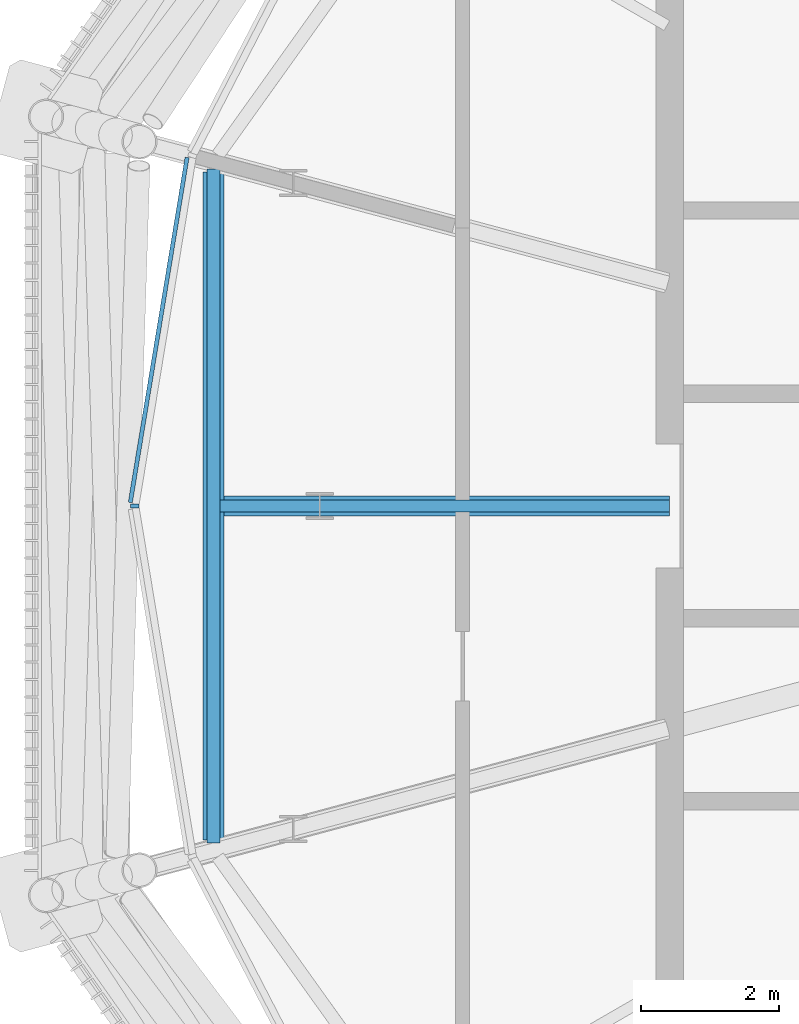
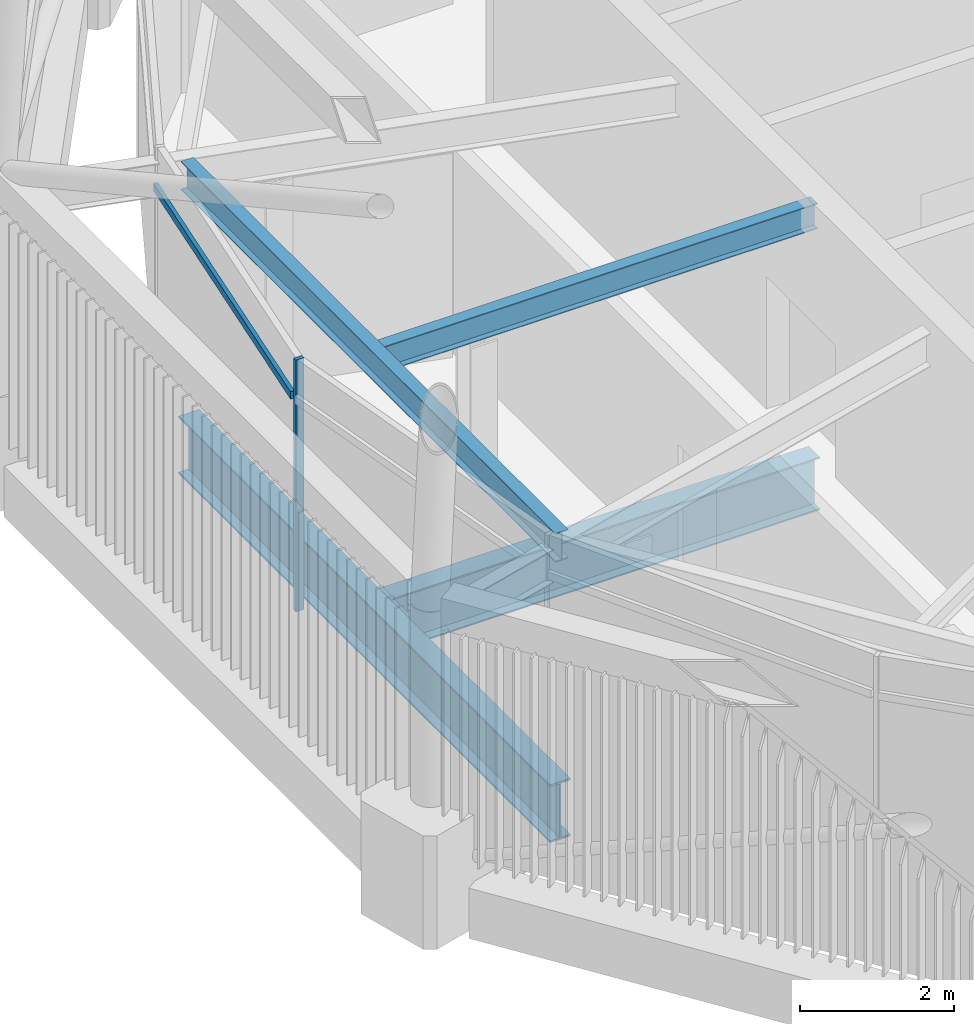
# One storey, part 13 of 71: 4 beams, 2 members, 1 element without a shape of its own.
"""IFC4 building model written with IfcOpenShell, lengths in metres."""

from ifc_helpers import new_model, si_unit, direction, frame, origin, origin_2d, place, context, subcontext, project, spatial, rectangle, i_section, extrude, material, material_profile, profile_set, type_object, element, aggregate, save


model = new_model("IFC4")

# Units and contexts
model_context = context("Model", 3, precision=1e-05, world=origin(), true_north=direction((0.0, 1.0)))
body_context = subcontext(model_context, "Body", "Model", "MODEL_VIEW")
ifc_project = project(units=[si_unit("LENGTHUNIT", "METRE"), si_unit("AREAUNIT", "SQUARE_METRE"), si_unit("VOLUMEUNIT", "CUBIC_METRE"), si_unit("PLANEANGLEUNIT", "RADIAN"), si_unit("MASSUNIT", "GRAM", prefix="KILO")], contexts=[model_context])

# Site, building, storey
site_placement = place(None, origin())
site = spatial("IfcSite", under=ifc_project, at=site_placement, CompositionType="ELEMENT")
building_placement = place(site_placement, origin())
building = spatial("IfcBuilding", under=site, at=building_placement, Name="Rimbun Link Towers", CompositionType="ELEMENT")
storey_placement = place(building_placement, frame((0.0, 0.0, 267.60009765625)))
storey = spatial("IfcBuildingStorey", under=building, at=storey_placement, Name="L65", CompositionType="ELEMENT", Elevation=267.60009765625)

# Curtain wall, members
ifc_material_1 = material(Name="Aluminium 6063-T6 louvre wall", Category="aluminium")
curtain_wall_type = type_object("IfcCurtainWallType", Name="CW6 plant floor louvre wall", PredefinedType="NOTDEFINED", material=ifc_material_1)
curtain_wall_placement = place(storey_placement, origin())
curtain_wall = element("IfcCurtainWall", 1, at=curtain_wall_placement, inside=storey, type_object=curtain_wall_type, Name="CW6 L65 T1", PredefinedType="NOTDEFINED")
ifc_material_2 = material(Name="Aluminium 6063-T6", Category="aluminium")
ifc_material_profile_1 = material_profile(ifc_material_2, rectangle(XDim=0.1201171875, YDim=0.06005859375, at=origin_2d()), Name="MULLION 60X120")
ifc_profile_set_1 = profile_set([ifc_material_profile_1], Name="Aluminium 6063-T6")
member_type_1 = type_object("IfcMemberType", Name="CW6 mullion 60X120", PredefinedType="MULLION", material=ifc_profile_set_1)
member_1_placement = place(storey_placement, frame((-51.494384765625, 0.0, 0.0), z_axis=(0.0, 0.0, 1.0), x_axis=(-1.0, 0.0, 0.0)))
member_1 = element("IfcMember", 2, at=member_1_placement, type_object=member_type_1, Name="CW6 mullion", PredefinedType="MULLION", context=body_context, shape_type="SweptSolid", body=[
    extrude(rectangle(XDim=0.1201171875, YDim=0.06005859375, at=origin_2d()), origin(), (0.0, 0.0, 1.0), 4.0),
])
ifc_material_3 = material(Name="Aluminium 6063-T6", Category="aluminium")
ifc_material_profile_2 = material_profile(ifc_material_3, rectangle(XDim=0.06005859375, YDim=0.1201171875, at=origin_2d()), Name="TRANSOM 60X120")
ifc_profile_set_2 = profile_set([ifc_material_profile_2], Name="Aluminium 6063-T6")
member_type_2 = type_object("IfcMemberType", Name="CW6 transom 60X120", PredefinedType="USERDEFINED", material=ifc_profile_set_2)
member_2_placement = place(storey_placement, frame((-51.557861328125, 0.05078125, 3.39990234375), z_axis=(0.16227804182, 0.986745072014, 0.0), x_axis=(-0.986745072014, 0.16227804182, 0.0)))
member_2 = element("IfcMember", 3, at=member_2_placement, type_object=member_type_2, Name="CW6 transom", ObjectType="TRANSOM", PredefinedType="USERDEFINED", context=body_context, shape_type="SweptSolid", body=[
    extrude(rectangle(XDim=0.06005859375, YDim=0.1201171875, at=origin_2d()), origin(), (0.0, 0.0, 1.0), 5.0595703125),
])
aggregate(curtain_wall, [member_1, member_2])

# Beams
ifc_material_4 = material(Name="Steel S355J2", Category="steel")
ifc_material_profile_3 = material_profile(ifc_material_4, i_section(OverallWidth=0.177978515625, OverallDepth=0.406494140625, WebThickness=0.0078125, FlangeThickness=0.0126953125, at=origin_2d()), Name="UB 406x178x60")
ifc_profile_set_3 = profile_set([ifc_material_profile_3], Name="Steel S355J2")
beam_type_1 = type_object("IfcBeamType", Name="UB 406x178x60", PredefinedType="BEAM", material=ifc_profile_set_3)
beam_1_placement = place(storey_placement, frame((-43.7509765625, 0.0, 3.5966796875), z_axis=(-1.0, 0.0, 0.0), x_axis=(0.0, -1.0, 0.0)))
element("IfcBeam", 4, at=beam_1_placement, inside=storey, type_object=beam_type_1, Name="Radial beam T1 L65 12", PredefinedType="BEAM", context=body_context, shape_type="SweptSolid", body=[
    extrude(i_section(OverallWidth=0.177978515625, OverallDepth=0.406494140625, WebThickness=0.0078125, FlangeThickness=0.0126953125, at=origin_2d()), origin(), (0.0, 0.0, 1.0), 6.509521484375),
])
ifc_material_5 = material(Name="Steel S355J2", Category="steel")
ifc_material_profile_4 = material_profile(ifc_material_5, i_section(OverallWidth=0.18994140625, OverallDepth=0.453369140625, WebThickness=0.008544921875, FlangeThickness=0.0126953125, at=origin_2d()), Name="UB 457x191x67")
ifc_profile_set_4 = profile_set([ifc_material_profile_4], Name="Steel S355J2")
beam_type_2 = type_object("IfcBeamType", Name="UB 457x191x67", PredefinedType="BEAM", material=ifc_profile_set_4)
beam_2_placement = place(storey_placement, frame((-50.3564453125, 4.876220703125, 3.5732421875), z_axis=(0.0, -1.0, 0.0), x_axis=(1.0, 0.0, 0.0)))
element("IfcBeam", 5, at=beam_2_placement, inside=storey, type_object=beam_type_2, Name="Edge beam T1 L65 11-13", PredefinedType="BEAM", context=body_context, shape_type="SweptSolid", body=[
    extrude(i_section(OverallWidth=0.18994140625, OverallDepth=0.453369140625, WebThickness=0.008544921875, FlangeThickness=0.0126953125, at=origin_2d()), origin(), (0.0, 0.0, 1.0), 9.75244140625),
])
ifc_material_6 = material(Name="Steel S355J2", Category="steel")
ifc_material_profile_5 = material_profile(ifc_material_6, i_section(OverallWidth=0.29248046875, OverallDepth=0.8408203125, WebThickness=0.0126953125, FlangeThickness=0.021728515625, at=origin_2d()), Name="UB 838x292x194")
ifc_profile_set_5 = profile_set([ifc_material_profile_5], Name="Steel S355J2")
beam_type_3 = type_object("IfcBeamType", Name="UB 838x292x194", PredefinedType="BEAM", material=ifc_profile_set_5)
beam_3_placement = place(storey_placement, frame((-43.7509765625, 0.0, -0.620361328125), z_axis=(-1.0, 0.0, 0.0), x_axis=(0.0, -1.0, 0.0)))
element("IfcBeam", 6, at=beam_3_placement, inside=storey, type_object=beam_type_3, Name="Radial beam T1 L65 12", PredefinedType="BEAM", context=body_context, shape_type="SweptSolid", body=[
    extrude(i_section(OverallWidth=0.29248046875, OverallDepth=0.8408203125, WebThickness=0.0126953125, FlangeThickness=0.021728515625, at=origin_2d()), origin(), (0.0, 0.0, 1.0), 6.45166015625),
])
ifc_material_7 = material(Name="Steel S355J2", Category="steel")
ifc_material_profile_6 = material_profile(ifc_material_7, i_section(OverallWidth=0.305419921875, OverallDepth=0.91845703125, WebThickness=0.017333984375, FlangeThickness=0.02783203125, at=origin_2d()), Name="UB 914x305x253")
ifc_profile_set_6 = profile_set([ifc_material_profile_6], Name="Steel S355J2")
beam_type_4 = type_object("IfcBeamType", Name="UB 914x305x253", PredefinedType="BEAM", material=ifc_profile_set_6)
beam_4_placement = place(storey_placement, frame((-50.3564453125, 4.833251953125, -0.6591796875), z_axis=(0.0, -1.0, 0.0), x_axis=(1.0, 0.0, 0.0)))
element("IfcBeam", 7, at=beam_4_placement, inside=storey, type_object=beam_type_4, Name="Edge beam T1 L65 11-13", PredefinedType="BEAM", context=body_context, shape_type="SweptSolid", body=[
    extrude(i_section(OverallWidth=0.305419921875, OverallDepth=0.91845703125, WebThickness=0.017333984375, FlangeThickness=0.02783203125, at=origin_2d()), origin(), (0.0, 0.0, 1.0), 9.66650390625),
])

save(model, "model.ifc")
